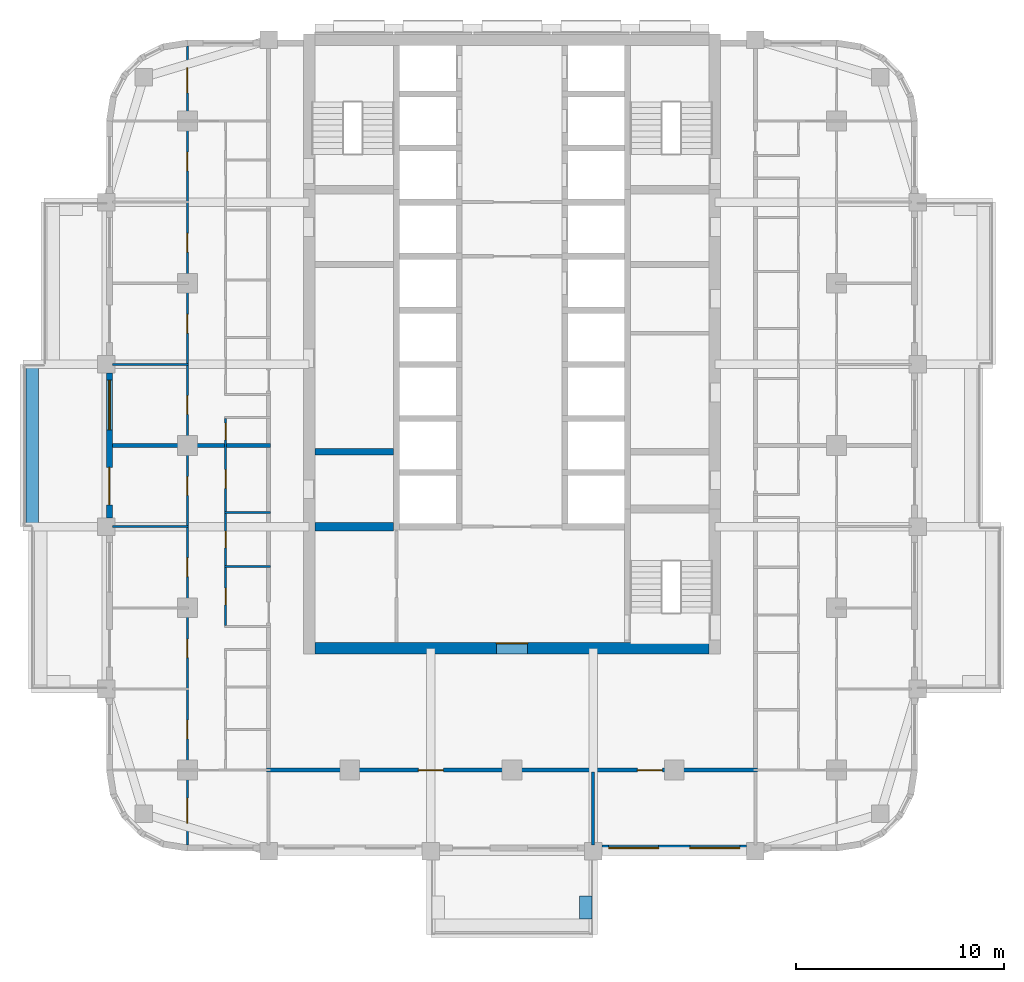
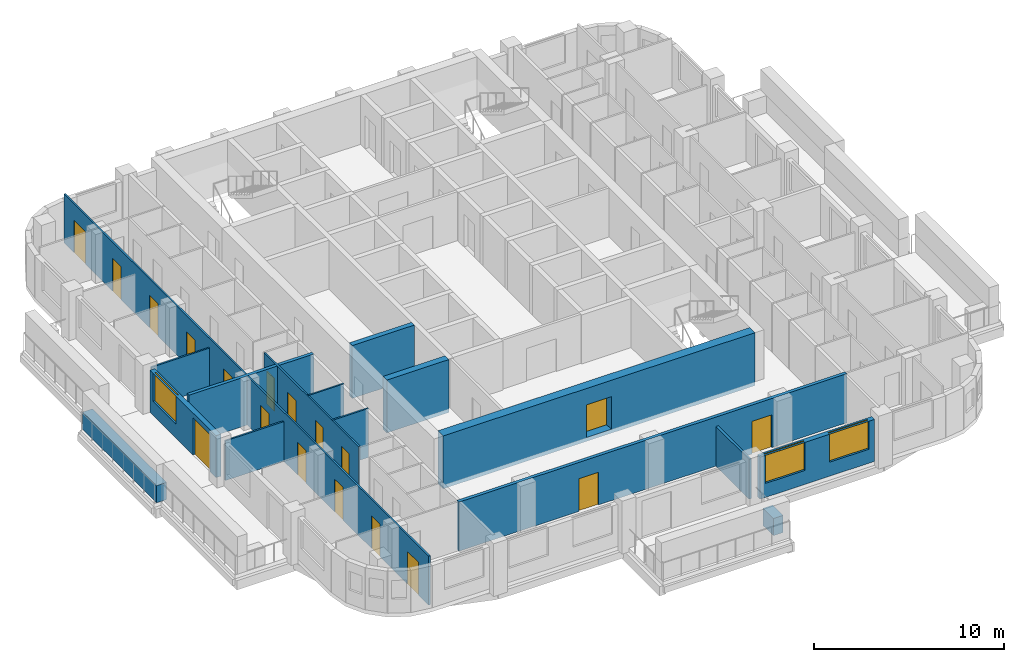
# One storey, part 3 of 12: 18 doors, 16 walls, 3 windows, 21 openings.
"""IFC4 building model written with IfcOpenShell, lengths in metres."""

from ifc_helpers import new_model, si_unit, direction, frame, frame_2d, origin, place, context, subcontext, project, spatial, rectangle, extrude, material, layer, layer_set, type_object, element, fill, save


model = new_model("IFC4")

# Units and contexts
model_context = context("Model", 3, precision=1e-05, world=origin(), true_north=direction((0.0, 1.0)))
body_context = subcontext(model_context, "Body", "Model", "MODEL_VIEW")
ifc_project = project(units=[si_unit("LENGTHUNIT", "METRE"), si_unit("AREAUNIT", "SQUARE_METRE"), si_unit("VOLUMEUNIT", "CUBIC_METRE"), si_unit("PLANEANGLEUNIT", "RADIAN"), si_unit("MASSUNIT", "GRAM", prefix="KILO")], contexts=[model_context])

# Site, building, storey
site_placement = place(None, origin())
site = spatial("IfcSite", under=ifc_project, at=site_placement, CompositionType="ELEMENT")
building_placement = place(site_placement, origin())
building = spatial("IfcBuilding", under=site, at=building_placement, Name="Ludao Terraces", CompositionType="ELEMENT")
storey_placement = place(building_placement, frame((0.0, 0.0, 137.300048828125)))
storey = spatial("IfcBuildingStorey", under=building, at=storey_placement, Name="L37", CompositionType="ELEMENT", Elevation=137.300048828125)

# Wall, opening, door
ifc_material_1 = material(Name="Concrete C60", Category="concrete")
ifc_layer_1 = layer(ifc_material_1, 0.550048828125)
ifc_layer_set_1 = layer_set([ifc_layer_1], Name="Core wall 550 C60")
wall_type_1 = type_object("IfcWallType", Name="Core wall 550 C60", PredefinedType="SOLIDWALL", material=ifc_layer_set_1)
wall_1_placement = place(storey_placement, frame((75.52490234375, 55.25, -0.25), z_axis=(0.0, 0.0, 1.0), x_axis=(1.0, 0.0, 0.0)))
wall_1 = element("IfcWall", 1, at=wall_1_placement, inside=storey, type_object=wall_type_1, Name="Core wall L37 outer-S", PredefinedType="SOLIDWALL", context=body_context, shape_type="SweptSolid", body=[
    extrude(rectangle(XDim=18.9501953125, YDim=0.550048828125, at=frame_2d((9.47509765625, 0.0))), origin(), (0.0, 0.0, 1.0), 3.39990234375),
])
opening_1_placement = place(wall_1_placement, frame((8.72509765625, 0.0, 0.25)))
opening_1 = element("IfcOpeningElement", 2, at=opening_1_placement, cuts=wall_1, Name="Opening R12-015", PredefinedType="OPENING", context=body_context, shape_type="SweptSolid", body=[
    extrude(rectangle(XDim=1.5, YDim=2.10009765625, at=frame_2d((0.75, 1.050048828125))), frame((0.0, 0.28515625, 0.0), z_axis=(0.0, -1.0, 0.0), x_axis=(1.0, 0.0, 0.0)), (0.0, 0.0, 1.0), 0.570068359375),
])
ifc_material_2 = material(Name="Steel Q235", Category="steel")
door_type_1 = type_object("IfcDoorType", Name="INT Lobby door 1500", OperationType="DOUBLE_DOOR_SINGLE_SWING", PredefinedType="DOOR", material=ifc_material_2)
door_1_placement = place(opening_1_placement, origin())
door_1 = element("IfcDoor", 3, at=door_1_placement, inside=storey, type_object=door_type_1, Name="DOOR 015", OperationType="DOUBLE_DOOR_SINGLE_SWING", OverallHeight=2.10009765625, OverallWidth=1.5, PredefinedType="DOOR", context=body_context, shape_type="SweptSolid", body=[
    extrude(rectangle(XDim=1.5, YDim=2.10009765625, at=frame_2d((0.75, 1.050048828125))), frame((0.0, 0.26025390625, 0.0), z_axis=(0.0, -1.0, 0.0), x_axis=(1.0, 0.0, 0.0)), (0.0, 0.0, 1.0), 0.050048828125),
])
fill(opening_1, door_1)

# Walls
ifc_material_3 = material(Name="Concrete C40", Category="concrete")
ifc_layer_2 = layer(ifc_material_3, 0.60009765625)
ifc_layer_set_2 = layer_set([ifc_layer_2], Name="ENV Planter trough 600")
wall_type_2 = type_object("IfcWallType", Name="ENV Planter trough 600", PredefinedType="USERDEFINED", material=ifc_layer_set_2)
wall_2_placement = place(storey_placement, frame((88.550048828125, 42.25, 0.0), z_axis=(0.0, 0.0, 1.0), x_axis=(0.0, 1.0, 0.0)))
element("IfcWall", 4, at=wall_2_placement, inside=storey, type_object=wall_type_2, Name="PL-L37-S1-SB", ObjectType="PLANTER", PredefinedType="USERDEFINED", context=body_context, shape_type="SweptSolid", body=[
    extrude(rectangle(XDim=1.10009765625, YDim=0.60009765625, at=frame_2d((0.550048828125, 0.0))), origin(), (0.0, 0.0, 1.0), 1.099853515625),
])
wall_3_placement = place(storey_placement, frame((61.949951171875, 61.10009765625, 0.0), z_axis=(0.0, 0.0, 1.0), x_axis=(0.0, 1.0, 0.0)))
element("IfcWall", 5, at=wall_3_placement, inside=storey, type_object=wall_type_2, Name="PL-L37-W2", ObjectType="PLANTER", PredefinedType="USERDEFINED", context=body_context, shape_type="SweptSolid", body=[
    extrude(rectangle(XDim=7.7998046875, YDim=0.60009765625, at=frame_2d((3.89990234375, 0.0))), origin(), (0.0, 0.0, 1.0), 1.099853515625),
])

# Wall, openings, windows
ifc_material_4 = material(Name="Granite cladding", Category="masonry")
ifc_layer_3 = layer(ifc_material_4, 0.0400390625, Category="stone")
ifc_material_5 = material(Name="Mineral wool")
ifc_layer_4 = layer(ifc_material_5, 0.06005859375)
ifc_layer_5 = layer(ifc_material_3, 0.199951171875, Category="concrete")
ifc_layer_set_3 = layer_set([ifc_layer_3, ifc_layer_4, ifc_layer_5], Name="ENV Stone-clad wall 300")
wall_type_3 = type_object("IfcWallType", Name="ENV Stone-clad wall 300", PredefinedType="SOLIDWALL", material=ifc_layer_set_3)
wall_4_placement = place(storey_placement, frame((89.324951171875, 45.64990234375, 0.0), z_axis=(0.0, 0.0, 1.0), x_axis=(1.0, 0.0, 0.0)))
wall_4 = element("IfcWall", 6, at=wall_4_placement, inside=storey, type_object=wall_type_3, Name="EW-L37-S4", PredefinedType="SOLIDWALL", context=body_context, shape_type="SweptSolid", body=[
    extrude(rectangle(XDim=6.949951171875, YDim=0.300048828125, at=frame_2d((3.47509765625, 0.0))), origin(), (0.0, 0.0, 1.0), 2.699951171875),
])
opening_2_placement = place(wall_4_placement, frame((0.324951171875, 0.0, 0.89990234375)))
opening_2 = element("IfcOpeningElement", 7, at=opening_2_placement, cuts=wall_4, Name="Opening W1", PredefinedType="OPENING", context=body_context, shape_type="SweptSolid", body=[
    extrude(rectangle(XDim=2.39990234375, YDim=1.800048828125, at=frame_2d((1.199951171875, 0.89990234375))), frame((0.0, 0.16015625, 0.0), z_axis=(0.0, -1.0, 0.0), x_axis=(1.0, 0.0, 0.0)), (0.0, 0.0, 1.0), 0.320068359375),
])
opening_3_placement = place(wall_4_placement, frame((4.22509765625, 0.0, 0.89990234375)))
opening_3 = element("IfcOpeningElement", 8, at=opening_3_placement, cuts=wall_4, Name="Opening W1", PredefinedType="OPENING", context=body_context, shape_type="SweptSolid", body=[
    extrude(rectangle(XDim=2.39990234375, YDim=1.800048828125, at=frame_2d((1.199951171875, 0.89990234375))), frame((0.0, 0.16015625, 0.0), z_axis=(0.0, -1.0, 0.0), x_axis=(1.0, 0.0, 0.0)), (0.0, 0.0, 1.0), 0.320068359375),
])
ifc_material_6 = material(Name="Clear glass in aluminium frame", Category="aluminium")
ifc_layer_6 = layer(ifc_material_6, 0.06005859375)
ifc_layer_set_4 = layer_set([ifc_layer_6], Name="ENV Window W1 2400x1800")
window_type = type_object("IfcWindowType", Name="ENV Window W1 2400x1800", PartitioningType="DOUBLE_PANEL_VERTICAL", PredefinedType="WINDOW", material=ifc_layer_set_4)
window_1_placement = place(opening_2_placement, origin())
window_1 = element("IfcWindow", 9, at=window_1_placement, inside=storey, type_object=window_type, Name="W-L37-S4-1", OverallHeight=1.800048828125, OverallWidth=2.39990234375, PartitioningType="DOUBLE_PANEL_VERTICAL", PredefinedType="WINDOW", context=body_context, shape_type="SweptSolid", body=[
    extrude(rectangle(XDim=2.39990234375, YDim=1.800048828125, at=frame_2d((1.199951171875, 0.89990234375))), frame((0.0, 0.030029296875, 0.0), z_axis=(0.0, -1.0, 0.0), x_axis=(1.0, 0.0, 0.0)), (0.0, 0.0, 1.0), 0.06005859375),
])
fill(opening_2, window_1)
window_2_placement = place(opening_3_placement, origin())
window_2 = element("IfcWindow", 10, at=window_2_placement, inside=storey, type_object=window_type, Name="W-L37-S4-2", OverallHeight=1.800048828125, OverallWidth=2.39990234375, PartitioningType="DOUBLE_PANEL_VERTICAL", PredefinedType="WINDOW", context=body_context, shape_type="SweptSolid", body=[
    extrude(rectangle(XDim=2.39990234375, YDim=1.800048828125, at=frame_2d((1.199951171875, 0.89990234375))), frame((0.0, 0.030029296875, 0.0), z_axis=(0.0, -1.0, 0.0), x_axis=(1.0, 0.0, 0.0)), (0.0, 0.0, 1.0), 0.06005859375),
])
fill(opening_3, window_2)

# Wall, openings, door, window
wall_5_placement = place(storey_placement, frame((65.64990234375, 61.52490234375, 0.0), z_axis=(0.0, 0.0, 1.0), x_axis=(0.0, 1.0, 0.0)))
wall_5 = element("IfcWall", 11, at=wall_5_placement, inside=storey, type_object=wall_type_3, Name="EW-L37-W3", PredefinedType="SOLIDWALL", context=body_context, shape_type="SweptSolid", body=[
    extrude(rectangle(XDim=6.9501953125, YDim=0.300048828125, at=frame_2d((3.47509765625, 0.0))), origin(), (0.0, 0.0, 1.0), 2.699951171875),
])
opening_4_placement = place(wall_5_placement, frame((0.625, 0.0, 0.0)))
opening_4 = element("IfcOpeningElement", 12, at=opening_4_placement, cuts=wall_5, Name="Opening BD", PredefinedType="OPENING", context=body_context, shape_type="SweptSolid", body=[
    extrude(rectangle(XDim=1.800048828125, YDim=2.39990234375, at=frame_2d((0.89990234375, 1.199951171875))), frame((0.0, 0.16015625, 0.0), z_axis=(0.0, -1.0, 0.0), x_axis=(1.0, 0.0, 0.0)), (0.0, 0.0, 1.0), 0.320068359375),
])
opening_5_placement = place(wall_5_placement, frame((4.22509765625, 0.0, 0.89990234375)))
opening_5 = element("IfcOpeningElement", 13, at=opening_5_placement, cuts=wall_5, Name="Opening W1", PredefinedType="OPENING", context=body_context, shape_type="SweptSolid", body=[
    extrude(rectangle(XDim=2.39990234375, YDim=1.800048828125, at=frame_2d((1.199951171875, 0.89990234375))), frame((0.0, 0.16015625, 0.0), z_axis=(0.0, -1.0, 0.0), x_axis=(1.0, 0.0, 0.0)), (0.0, 0.0, 1.0), 0.320068359375),
])
ifc_material_7 = material(Name="Aluminium glazed door", Category="aluminium")
ifc_layer_7 = layer(ifc_material_7, 0.06005859375)
ifc_layer_set_5 = layer_set([ifc_layer_7], Name="ENV Balcony door BD 1800x2400")
door_type_2 = type_object("IfcDoorType", Name="ENV Balcony door BD 1800x2400", OperationType="DOUBLE_DOOR_SINGLE_SWING", PredefinedType="DOOR", material=ifc_layer_set_5)
door_2_placement = place(opening_4_placement, origin())
door_2 = element("IfcDoor", 14, at=door_2_placement, inside=storey, type_object=door_type_2, Name="BD-L37-W3-1", OperationType="DOUBLE_DOOR_SINGLE_SWING", OverallHeight=2.39990234375, OverallWidth=1.800048828125, PredefinedType="DOOR", context=body_context, shape_type="SweptSolid", body=[
    extrude(rectangle(XDim=1.800048828125, YDim=2.39990234375, at=frame_2d((0.89990234375, 1.199951171875))), frame((0.0, 0.02490234375, 0.0), z_axis=(0.0, -1.0, 0.0), x_axis=(1.0, 0.0, 0.0)), (0.0, 0.0, 1.0), 0.050048828125),
])
fill(opening_4, door_2)
window_3_placement = place(opening_5_placement, origin())
window_3 = element("IfcWindow", 15, at=window_3_placement, inside=storey, type_object=window_type, Name="W-L37-W3-2", OverallHeight=1.800048828125, OverallWidth=2.39990234375, PartitioningType="DOUBLE_PANEL_VERTICAL", PredefinedType="WINDOW", context=body_context, shape_type="SweptSolid", body=[
    extrude(rectangle(XDim=2.39990234375, YDim=1.800048828125, at=frame_2d((1.199951171875, 0.89990234375))), frame((0.0, 0.030029296875, 0.0), z_axis=(0.0, -1.0, 0.0), x_axis=(1.0, 0.0, 0.0)), (0.0, 0.0, 1.0), 0.06005859375),
])
fill(opening_5, window_3)

# Wall, openings, doors
ifc_material_8 = material(Name="Autoclaved aerated concrete block B06 A3.5", Category="concrete")
ifc_layer_8 = layer(ifc_material_8, 0.199951171875)
ifc_layer_set_6 = layer_set([ifc_layer_8], Name="INT Entrance wall 200")
wall_type_4 = type_object("IfcWallType", Name="INT Entrance wall 200", PredefinedType="PARTITIONING", material=ifc_layer_set_6)
wall_6_placement = place(storey_placement, frame((73.2001953125, 49.39990234375, 0.0), z_axis=(0.0, 0.0, 1.0), x_axis=(1.0, 0.0, 0.0)))
wall_6 = element("IfcWall", 16, at=wall_6_placement, inside=storey, type_object=wall_type_4, Name="PW-L37-PW001", PredefinedType="PARTITIONING", context=body_context, shape_type="SweptSolid", body=[
    extrude(rectangle(XDim=23.599853515625, YDim=0.199951171875, at=frame_2d((11.7998046875, 0.0))), origin(), (0.0, 0.0, 1.0), 3.14990234375),
])
opening_6_placement = place(wall_6_placement, frame((7.2998046875, 0.0, 0.0)))
opening_6 = element("IfcOpeningElement", 17, at=opening_6_placement, cuts=wall_6, Name="Opening R12-004", PredefinedType="OPENING", context=body_context, shape_type="SweptSolid", body=[
    extrude(rectangle(XDim=1.199951171875, YDim=2.10009765625, at=frame_2d((0.60009765625, 1.050048828125))), frame((0.0, 0.10986328125, 0.0), z_axis=(0.0, -1.0, 0.0), x_axis=(1.0, 0.0, 0.0)), (0.0, 0.0, 1.0), 0.219970703125),
])
opening_7_placement = place(wall_6_placement, frame((17.824951171875, 0.0, 0.0)))
opening_7 = element("IfcOpeningElement", 18, at=opening_7_placement, cuts=wall_6, Name="Opening R12-005", PredefinedType="OPENING", context=body_context, shape_type="SweptSolid", body=[
    extrude(rectangle(XDim=1.199951171875, YDim=2.10009765625, at=frame_2d((0.60009765625, 1.050048828125))), frame((0.0, 0.10986328125, 0.0), z_axis=(0.0, -1.0, 0.0), x_axis=(1.0, 0.0, 0.0)), (0.0, 0.0, 1.0), 0.219970703125),
])
ifc_material_9 = material(Name="Timber door leaf", Category="wood")
door_type_3 = type_object("IfcDoorType", Name="INT Double door 1200", OperationType="DOUBLE_DOOR_SINGLE_SWING", PredefinedType="DOOR", material=ifc_material_9)
door_3_placement = place(opening_6_placement, origin())
door_3 = element("IfcDoor", 19, at=door_3_placement, inside=storey, type_object=door_type_3, Name="DOOR 004", OperationType="DOUBLE_DOOR_SINGLE_SWING", OverallHeight=2.10009765625, OverallWidth=1.199951171875, PredefinedType="DOOR", context=body_context, shape_type="SweptSolid", body=[
    extrude(rectangle(XDim=1.199951171875, YDim=2.10009765625, at=frame_2d((0.60009765625, 1.050048828125))), frame((0.0, 0.02490234375, 0.0), z_axis=(0.0, -1.0, 0.0), x_axis=(1.0, 0.0, 0.0)), (0.0, 0.0, 1.0), 0.050048828125),
])
fill(opening_6, door_3)
door_4_placement = place(opening_7_placement, origin())
door_4 = element("IfcDoor", 20, at=door_4_placement, inside=storey, type_object=door_type_3, Name="DOOR 005", OperationType="DOUBLE_DOOR_SINGLE_SWING", OverallHeight=2.10009765625, OverallWidth=1.199951171875, PredefinedType="DOOR", context=body_context, shape_type="SweptSolid", body=[
    extrude(rectangle(XDim=1.199951171875, YDim=2.10009765625, at=frame_2d((0.60009765625, 1.050048828125))), frame((0.0, 0.02490234375, 0.0), z_axis=(0.0, -1.0, 0.0), x_axis=(1.0, 0.0, 0.0)), (0.0, 0.0, 1.0), 0.050048828125),
])
fill(opening_7, door_4)

# Walls
ifc_material_10 = material(Name="Gypsum plasterboard", Category="gypsum")
ifc_layer_9 = layer(ifc_material_10, 0.012451171875, Category="gypsum")
ifc_layer_10 = layer(ifc_material_5, 0.06005859375, Name="insulation")
ifc_layer_11 = layer(ifc_material_2, 0.014892578125, Name="stud")
ifc_layer_12 = layer(ifc_material_10, 0.012451171875, Category="gypsum")
ifc_layer_set_7 = layer_set([ifc_layer_9, ifc_layer_10, ifc_layer_11, ifc_layer_12], Name="INT Partition 100")
wall_type_5 = type_object("IfcWallType", Name="INT Partition 100", PredefinedType="PARTITIONING", material=ifc_layer_set_7)
wall_7_placement = place(storey_placement, frame((71.18017578125, 59.179931640625, 0.0), z_axis=(0.0, 0.0, 1.0), x_axis=(1.0, 0.0, 0.0)))
element("IfcWall", 21, at=wall_7_placement, inside=storey, type_object=wall_type_5, Name="PW-L37-PW015", PredefinedType="PARTITIONING", context=body_context, shape_type="SweptSolid", body=[
    extrude(rectangle(XDim=2.219970703125, YDim=0.10009765625, at=frame_2d((1.10986328125, 0.0))), origin(), (0.0, 0.0, 1.0), 3.14990234375),
])
wall_8_placement = place(storey_placement, frame((65.800048828125, 61.10009765625, 0.0), z_axis=(0.0, 0.0, 1.0), x_axis=(1.0, 0.0, 0.0)))
element("IfcWall", 22, at=wall_8_placement, inside=storey, type_object=wall_type_5, Name="PW-L37-PW016", PredefinedType="PARTITIONING", context=body_context, shape_type="SweptSolid", body=[
    extrude(rectangle(XDim=3.650146484375, YDim=0.10009765625, at=frame_2d((1.8251953125, 0.0))), origin(), (0.0, 0.0, 1.0), 2.5498046875),
])
wall_9_placement = place(storey_placement, frame((71.18017578125, 61.780029296875, 0.0), z_axis=(0.0, 0.0, 1.0), x_axis=(1.0, 0.0, 0.0)))
element("IfcWall", 23, at=wall_9_placement, inside=storey, type_object=wall_type_5, Name="PW-L37-PW020", PredefinedType="PARTITIONING", context=body_context, shape_type="SweptSolid", body=[
    extrude(rectangle(XDim=2.219970703125, YDim=0.10009765625, at=frame_2d((1.10986328125, 0.0))), origin(), (0.0, 0.0, 1.0), 3.14990234375),
])
wall_10_placement = place(storey_placement, frame((65.800048828125, 68.89990234375, 0.0), z_axis=(0.0, 0.0, 1.0), x_axis=(1.0, 0.0, 0.0)))
element("IfcWall", 24, at=wall_10_placement, inside=storey, type_object=wall_type_5, Name="PW-L37-PW027", PredefinedType="PARTITIONING", context=body_context, shape_type="SweptSolid", body=[
    extrude(rectangle(XDim=3.650146484375, YDim=0.10009765625, at=frame_2d((1.8251953125, 0.0))), origin(), (0.0, 0.0, 1.0), 2.5498046875),
])

# Wall, openings, doors
wall_11_placement = place(storey_placement, frame((69.39990234375, 45.800048828125, 0.0), z_axis=(0.0, 0.0, 1.0), x_axis=(0.0, 1.0, 0.0)))
wall_11 = element("IfcWall", 25, at=wall_11_placement, inside=storey, type_object=wall_type_5, Name="PW-L37-PW047", PredefinedType="PARTITIONING", context=body_context, shape_type="SweptSolid", body=[
    extrude(rectangle(XDim=38.400146484375, YDim=0.10009765625, at=frame_2d((19.2001953125, 0.0))), origin(), (0.0, 0.0, 1.0), 3.14990234375),
])
opening_8_placement = place(wall_11_placement, frame((1.050048828125, 0.0, 0.0)))
opening_8 = element("IfcOpeningElement", 26, at=opening_8_placement, cuts=wall_11, Name="Opening R12-001", PredefinedType="OPENING", context=body_context, shape_type="SweptSolid", body=[
    extrude(rectangle(XDim=1.199951171875, YDim=2.10009765625, at=frame_2d((0.60009765625, 1.050048828125))), frame((0.0, 0.06005859375, 0.0), z_axis=(0.0, -1.0, 0.0), x_axis=(1.0, 0.0, 0.0)), (0.0, 0.0, 1.0), 0.1201171875),
])
opening_9_placement = place(wall_11_placement, frame((5.10009765625, 0.0, 0.0)))
opening_9 = element("IfcOpeningElement", 27, at=opening_9_placement, cuts=wall_11, Name="Opening R12-009", PredefinedType="OPENING", context=body_context, shape_type="SweptSolid", body=[
    extrude(rectangle(XDim=0.89990234375, YDim=2.10009765625, at=frame_2d((0.449951171875, 1.050048828125))), frame((0.0, 0.06005859375, 0.0), z_axis=(0.0, -1.0, 0.0), x_axis=(1.0, 0.0, 0.0)), (0.0, 0.0, 1.0), 0.1201171875),
])
opening_10_placement = place(wall_11_placement, frame((9.0, 0.0, 0.0)))
opening_10 = element("IfcOpeningElement", 28, at=opening_10_placement, cuts=wall_11, Name="Opening R12-014", PredefinedType="OPENING", context=body_context, shape_type="SweptSolid", body=[
    extrude(rectangle(XDim=0.89990234375, YDim=2.10009765625, at=frame_2d((0.449951171875, 1.050048828125))), frame((0.0, 0.06005859375, 0.0), z_axis=(0.0, -1.0, 0.0), x_axis=(1.0, 0.0, 0.0)), (0.0, 0.0, 1.0), 0.1201171875),
])
opening_11_placement = place(wall_11_placement, frame((12.89990234375, 0.0, 0.0)))
opening_11 = element("IfcOpeningElement", 29, at=opening_11_placement, cuts=wall_11, Name="Opening R12-024", PredefinedType="OPENING", context=body_context, shape_type="SweptSolid", body=[
    extrude(rectangle(XDim=0.89990234375, YDim=2.10009765625, at=frame_2d((0.449951171875, 1.050048828125))), frame((0.0, 0.06005859375, 0.0), z_axis=(0.0, -1.0, 0.0), x_axis=(1.0, 0.0, 0.0)), (0.0, 0.0, 1.0), 0.1201171875),
])
opening_12_placement = place(wall_11_placement, frame((16.800048828125, 0.0, 0.0)))
opening_12 = element("IfcOpeningElement", 30, at=opening_12_placement, cuts=wall_11, Name="Opening R12-030", PredefinedType="OPENING", context=body_context, shape_type="SweptSolid", body=[
    extrude(rectangle(XDim=0.89990234375, YDim=2.10009765625, at=frame_2d((0.449951171875, 1.050048828125))), frame((0.0, 0.06005859375, 0.0), z_axis=(0.0, -1.0, 0.0), x_axis=(1.0, 0.0, 0.0)), (0.0, 0.0, 1.0), 0.1201171875),
])
opening_13_placement = place(wall_11_placement, frame((20.699951171875, 0.0, 0.0)))
opening_13 = element("IfcOpeningElement", 31, at=opening_13_placement, cuts=wall_11, Name="Opening R12-038", PredefinedType="OPENING", context=body_context, shape_type="SweptSolid", body=[
    extrude(rectangle(XDim=0.89990234375, YDim=2.10009765625, at=frame_2d((0.449951171875, 1.050048828125))), frame((0.0, 0.06005859375, 0.0), z_axis=(0.0, -1.0, 0.0), x_axis=(1.0, 0.0, 0.0)), (0.0, 0.0, 1.0), 0.1201171875),
])
opening_14_placement = place(wall_11_placement, frame((24.60009765625, 0.0, 0.0)))
opening_14 = element("IfcOpeningElement", 32, at=opening_14_placement, cuts=wall_11, Name="Opening R12-045", PredefinedType="OPENING", context=body_context, shape_type="SweptSolid", body=[
    extrude(rectangle(XDim=0.89990234375, YDim=2.10009765625, at=frame_2d((0.449951171875, 1.050048828125))), frame((0.0, 0.06005859375, 0.0), z_axis=(0.0, -1.0, 0.0), x_axis=(1.0, 0.0, 0.0)), (0.0, 0.0, 1.0), 0.1201171875),
])
opening_15_placement = place(wall_11_placement, frame((28.5, 0.0, 0.0)))
opening_15 = element("IfcOpeningElement", 33, at=opening_15_placement, cuts=wall_11, Name="Opening R12-054", PredefinedType="OPENING", context=body_context, shape_type="SweptSolid", body=[
    extrude(rectangle(XDim=0.89990234375, YDim=2.10009765625, at=frame_2d((0.449951171875, 1.050048828125))), frame((0.0, 0.06005859375, 0.0), z_axis=(0.0, -1.0, 0.0), x_axis=(1.0, 0.0, 0.0)), (0.0, 0.0, 1.0), 0.1201171875),
])
opening_16_placement = place(wall_11_placement, frame((32.39990234375, 0.0, 0.0)))
opening_16 = element("IfcOpeningElement", 34, at=opening_16_placement, cuts=wall_11, Name="Opening R12-066", PredefinedType="OPENING", context=body_context, shape_type="SweptSolid", body=[
    extrude(rectangle(XDim=0.89990234375, YDim=2.10009765625, at=frame_2d((0.449951171875, 1.050048828125))), frame((0.0, 0.06005859375, 0.0), z_axis=(0.0, -1.0, 0.0), x_axis=(1.0, 0.0, 0.0)), (0.0, 0.0, 1.0), 0.1201171875),
])
opening_17_placement = place(wall_11_placement, frame((36.14990234375, 0.0, 0.0)))
opening_17 = element("IfcOpeningElement", 35, at=opening_17_placement, cuts=wall_11, Name="Opening R12-075", PredefinedType="OPENING", context=body_context, shape_type="SweptSolid", body=[
    extrude(rectangle(XDim=1.199951171875, YDim=2.10009765625, at=frame_2d((0.60009765625, 1.050048828125))), frame((0.0, 0.06005859375, 0.0), z_axis=(0.0, -1.0, 0.0), x_axis=(1.0, 0.0, 0.0)), (0.0, 0.0, 1.0), 0.1201171875),
])
door_5_placement = place(opening_8_placement, origin())
door_5 = element("IfcDoor", 36, at=door_5_placement, inside=storey, type_object=door_type_3, Name="DOOR 001", OperationType="DOUBLE_DOOR_SINGLE_SWING", OverallHeight=2.10009765625, OverallWidth=1.199951171875, PredefinedType="DOOR", context=body_context, shape_type="SweptSolid", body=[
    extrude(rectangle(XDim=1.199951171875, YDim=2.10009765625, at=frame_2d((0.60009765625, 1.050048828125))), frame((0.0, 0.02490234375, 0.0), z_axis=(0.0, -1.0, 0.0), x_axis=(1.0, 0.0, 0.0)), (0.0, 0.0, 1.0), 0.050048828125),
])
fill(opening_8, door_5)
door_6_placement = place(opening_17_placement, origin())
door_6 = element("IfcDoor", 37, at=door_6_placement, inside=storey, type_object=door_type_3, Name="DOOR 075", OperationType="DOUBLE_DOOR_SINGLE_SWING", OverallHeight=2.10009765625, OverallWidth=1.199951171875, PredefinedType="DOOR", context=body_context, shape_type="SweptSolid", body=[
    extrude(rectangle(XDim=1.199951171875, YDim=2.10009765625, at=frame_2d((0.60009765625, 1.050048828125))), frame((0.0, 0.02490234375, 0.0), z_axis=(0.0, -1.0, 0.0), x_axis=(1.0, 0.0, 0.0)), (0.0, 0.0, 1.0), 0.050048828125),
])
fill(opening_17, door_6)
door_type_4 = type_object("IfcDoorType", Name="INT Room door 900", OperationType="SINGLE_SWING_LEFT", PredefinedType="DOOR", material=ifc_material_9)
door_7_placement = place(opening_9_placement, origin())
door_7 = element("IfcDoor", 38, at=door_7_placement, inside=storey, type_object=door_type_4, Name="DOOR 009", OperationType="SINGLE_SWING_RIGHT", OverallHeight=2.10009765625, OverallWidth=0.89990234375, PredefinedType="DOOR", context=body_context, shape_type="SweptSolid", body=[
    extrude(rectangle(XDim=0.89990234375, YDim=2.10009765625, at=frame_2d((0.449951171875, 1.050048828125))), frame((0.0, 0.02490234375, 0.0), z_axis=(0.0, -1.0, 0.0), x_axis=(1.0, 0.0, 0.0)), (0.0, 0.0, 1.0), 0.050048828125),
])
fill(opening_9, door_7)
door_8_placement = place(opening_10_placement, origin())
door_8 = element("IfcDoor", 39, at=door_8_placement, inside=storey, type_object=door_type_4, Name="DOOR 014", OperationType="SINGLE_SWING_RIGHT", OverallHeight=2.10009765625, OverallWidth=0.89990234375, PredefinedType="DOOR", context=body_context, shape_type="SweptSolid", body=[
    extrude(rectangle(XDim=0.89990234375, YDim=2.10009765625, at=frame_2d((0.449951171875, 1.050048828125))), frame((0.0, 0.02490234375, 0.0), z_axis=(0.0, -1.0, 0.0), x_axis=(1.0, 0.0, 0.0)), (0.0, 0.0, 1.0), 0.050048828125),
])
fill(opening_10, door_8)
door_9_placement = place(opening_11_placement, origin())
door_9 = element("IfcDoor", 40, at=door_9_placement, inside=storey, type_object=door_type_4, Name="DOOR 024", OperationType="SINGLE_SWING_RIGHT", OverallHeight=2.10009765625, OverallWidth=0.89990234375, PredefinedType="DOOR", context=body_context, shape_type="SweptSolid", body=[
    extrude(rectangle(XDim=0.89990234375, YDim=2.10009765625, at=frame_2d((0.449951171875, 1.050048828125))), frame((0.0, 0.02490234375, 0.0), z_axis=(0.0, -1.0, 0.0), x_axis=(1.0, 0.0, 0.0)), (0.0, 0.0, 1.0), 0.050048828125),
])
fill(opening_11, door_9)
door_10_placement = place(opening_12_placement, origin())
door_10 = element("IfcDoor", 41, at=door_10_placement, inside=storey, type_object=door_type_4, Name="DOOR 030", OperationType="SINGLE_SWING_LEFT", OverallHeight=2.10009765625, OverallWidth=0.89990234375, PredefinedType="DOOR", context=body_context, shape_type="SweptSolid", body=[
    extrude(rectangle(XDim=0.89990234375, YDim=2.10009765625, at=frame_2d((0.449951171875, 1.050048828125))), frame((0.0, 0.02490234375, 0.0), z_axis=(0.0, -1.0, 0.0), x_axis=(1.0, 0.0, 0.0)), (0.0, 0.0, 1.0), 0.050048828125),
])
fill(opening_12, door_10)
door_11_placement = place(opening_13_placement, origin())
door_11 = element("IfcDoor", 42, at=door_11_placement, inside=storey, type_object=door_type_4, Name="DOOR 038", OperationType="SINGLE_SWING_LEFT", OverallHeight=2.10009765625, OverallWidth=0.89990234375, PredefinedType="DOOR", context=body_context, shape_type="SweptSolid", body=[
    extrude(rectangle(XDim=0.89990234375, YDim=2.10009765625, at=frame_2d((0.449951171875, 1.050048828125))), frame((0.0, 0.02490234375, 0.0), z_axis=(0.0, -1.0, 0.0), x_axis=(1.0, 0.0, 0.0)), (0.0, 0.0, 1.0), 0.050048828125),
])
fill(opening_13, door_11)
door_12_placement = place(opening_14_placement, origin())
door_12 = element("IfcDoor", 43, at=door_12_placement, inside=storey, type_object=door_type_4, Name="DOOR 045", OperationType="SINGLE_SWING_RIGHT", OverallHeight=2.10009765625, OverallWidth=0.89990234375, PredefinedType="DOOR", context=body_context, shape_type="SweptSolid", body=[
    extrude(rectangle(XDim=0.89990234375, YDim=2.10009765625, at=frame_2d((0.449951171875, 1.050048828125))), frame((0.0, 0.02490234375, 0.0), z_axis=(0.0, -1.0, 0.0), x_axis=(1.0, 0.0, 0.0)), (0.0, 0.0, 1.0), 0.050048828125),
])
fill(opening_14, door_12)
door_13_placement = place(opening_15_placement, origin())
door_13 = element("IfcDoor", 44, at=door_13_placement, inside=storey, type_object=door_type_4, Name="DOOR 054", OperationType="SINGLE_SWING_LEFT", OverallHeight=2.10009765625, OverallWidth=0.89990234375, PredefinedType="DOOR", context=body_context, shape_type="SweptSolid", body=[
    extrude(rectangle(XDim=0.89990234375, YDim=2.10009765625, at=frame_2d((0.449951171875, 1.050048828125))), frame((0.0, 0.02490234375, 0.0), z_axis=(0.0, -1.0, 0.0), x_axis=(1.0, 0.0, 0.0)), (0.0, 0.0, 1.0), 0.050048828125),
])
fill(opening_15, door_13)
door_14_placement = place(opening_16_placement, origin())
door_14 = element("IfcDoor", 45, at=door_14_placement, inside=storey, type_object=door_type_4, Name="DOOR 066", OperationType="SINGLE_SWING_LEFT", OverallHeight=2.10009765625, OverallWidth=0.89990234375, PredefinedType="DOOR", context=body_context, shape_type="SweptSolid", body=[
    extrude(rectangle(XDim=0.89990234375, YDim=2.10009765625, at=frame_2d((0.449951171875, 1.050048828125))), frame((0.0, 0.02490234375, 0.0), z_axis=(0.0, -1.0, 0.0), x_axis=(1.0, 0.0, 0.0)), (0.0, 0.0, 1.0), 0.050048828125),
])
fill(opening_16, door_14)

wall_12_placement = place(storey_placement, frame((71.22998046875, 56.35009765625, 0.0), z_axis=(0.0, 0.0, 1.0), x_axis=(0.0, 1.0, 0.0)))
wall_12 = element("IfcWall", 46, at=wall_12_placement, inside=storey, type_object=wall_type_5, Name="PW-L37-PW049", PredefinedType="PARTITIONING", context=body_context, shape_type="SweptSolid", body=[
    extrude(rectangle(XDim=9.949951171875, YDim=0.10009765625, at=frame_2d((4.97509765625, 0.0))), origin(), (0.0, 0.0, 1.0), 3.14990234375),
])
opening_18_placement = place(wall_12_placement, frame((0.989990234375, 0.0, 0.0)))
opening_18 = element("IfcOpeningElement", 47, at=opening_18_placement, cuts=wall_12, Name="Opening R12-021", PredefinedType="OPENING", context=body_context, shape_type="SweptSolid", body=[
    extrude(rectangle(XDim=0.800048828125, YDim=2.10009765625, at=frame_2d((0.39990234375, 1.050048828125))), frame((0.0, 0.06005859375, 0.0), z_axis=(0.0, -1.0, 0.0), x_axis=(1.0, 0.0, 0.0)), (0.0, 0.0, 1.0), 0.1201171875),
])
opening_19_placement = place(wall_12_placement, frame((3.72998046875, 0.0, 0.0)))
opening_19 = element("IfcOpeningElement", 48, at=opening_19_placement, cuts=wall_12, Name="Opening R12-027", PredefinedType="OPENING", context=body_context, shape_type="SweptSolid", body=[
    extrude(rectangle(XDim=0.800048828125, YDim=2.10009765625, at=frame_2d((0.39990234375, 1.050048828125))), frame((0.0, 0.06005859375, 0.0), z_axis=(0.0, -1.0, 0.0), x_axis=(1.0, 0.0, 0.0)), (0.0, 0.0, 1.0), 0.1201171875),
])
opening_20_placement = place(wall_12_placement, frame((6.590087890625, 0.0, 0.0)))
opening_20 = element("IfcOpeningElement", 49, at=opening_20_placement, cuts=wall_12, Name="Opening R12-034", PredefinedType="OPENING", context=body_context, shape_type="SweptSolid", body=[
    extrude(rectangle(XDim=0.89990234375, YDim=2.10009765625, at=frame_2d((0.449951171875, 1.050048828125))), frame((0.0, 0.06005859375, 0.0), z_axis=(0.0, -1.0, 0.0), x_axis=(1.0, 0.0, 0.0)), (0.0, 0.0, 1.0), 0.1201171875),
])
opening_21_placement = place(wall_12_placement, frame((8.925048828125, 0.0, 0.0)))
opening_21 = element("IfcOpeningElement", 50, at=opening_21_placement, cuts=wall_12, Name="Opening R12-036", PredefinedType="OPENING", context=body_context, shape_type="SweptSolid", body=[
    extrude(rectangle(XDim=0.800048828125, YDim=2.10009765625, at=frame_2d((0.39990234375, 1.050048828125))), frame((0.0, 0.06005859375, 0.0), z_axis=(0.0, -1.0, 0.0), x_axis=(1.0, 0.0, 0.0)), (0.0, 0.0, 1.0), 0.1201171875),
])
door_15_placement = place(opening_20_placement, origin())
door_15 = element("IfcDoor", 51, at=door_15_placement, inside=storey, type_object=door_type_4, Name="DOOR 034", OperationType="SINGLE_SWING_RIGHT", OverallHeight=2.10009765625, OverallWidth=0.89990234375, PredefinedType="DOOR", context=body_context, shape_type="SweptSolid", body=[
    extrude(rectangle(XDim=0.89990234375, YDim=2.10009765625, at=frame_2d((0.449951171875, 1.050048828125))), frame((0.0, 0.02490234375, 0.0), z_axis=(0.0, -1.0, 0.0), x_axis=(1.0, 0.0, 0.0)), (0.0, 0.0, 1.0), 0.050048828125),
])
fill(opening_20, door_15)
door_type_5 = type_object("IfcDoorType", Name="INT Store door 800", OperationType="SINGLE_SWING_LEFT", PredefinedType="DOOR", material=ifc_material_9)
door_16_placement = place(opening_18_placement, origin())
door_16 = element("IfcDoor", 52, at=door_16_placement, inside=storey, type_object=door_type_5, Name="DOOR 021", OperationType="SINGLE_SWING_RIGHT", OverallHeight=2.10009765625, OverallWidth=0.800048828125, PredefinedType="DOOR", context=body_context, shape_type="SweptSolid", body=[
    extrude(rectangle(XDim=0.800048828125, YDim=2.10009765625, at=frame_2d((0.39990234375, 1.050048828125))), frame((0.0, 0.02490234375, 0.0), z_axis=(0.0, -1.0, 0.0), x_axis=(1.0, 0.0, 0.0)), (0.0, 0.0, 1.0), 0.050048828125),
])
fill(opening_18, door_16)
door_17_placement = place(opening_19_placement, origin())
door_17 = element("IfcDoor", 53, at=door_17_placement, inside=storey, type_object=door_type_5, Name="DOOR 027", OperationType="SINGLE_SWING_LEFT", OverallHeight=2.10009765625, OverallWidth=0.800048828125, PredefinedType="DOOR", context=body_context, shape_type="SweptSolid", body=[
    extrude(rectangle(XDim=0.800048828125, YDim=2.10009765625, at=frame_2d((0.39990234375, 1.050048828125))), frame((0.0, 0.02490234375, 0.0), z_axis=(0.0, -1.0, 0.0), x_axis=(1.0, 0.0, 0.0)), (0.0, 0.0, 1.0), 0.050048828125),
])
fill(opening_19, door_17)
door_18_placement = place(opening_21_placement, origin())
door_18 = element("IfcDoor", 54, at=door_18_placement, inside=storey, type_object=door_type_5, Name="DOOR 036", OperationType="SINGLE_SWING_RIGHT", OverallHeight=2.10009765625, OverallWidth=0.800048828125, PredefinedType="DOOR", context=body_context, shape_type="SweptSolid", body=[
    extrude(rectangle(XDim=0.800048828125, YDim=2.10009765625, at=frame_2d((0.39990234375, 1.050048828125))), frame((0.0, 0.02490234375, 0.0), z_axis=(0.0, -1.0, 0.0), x_axis=(1.0, 0.0, 0.0)), (0.0, 0.0, 1.0), 0.050048828125),
])
fill(opening_21, door_18)

# Walls
ifc_layer_13 = layer(ifc_material_8, 0.14990234375)
ifc_layer_set_8 = layer_set([ifc_layer_13], Name="INT Party wall 150")
wall_type_6 = type_object("IfcWallType", Name="INT Party wall 150", PredefinedType="PARTITIONING", material=ifc_layer_set_8)
wall_13_placement = place(storey_placement, frame((88.89990234375, 45.800048828125, 0.0), z_axis=(0.0, 0.0, 1.0), x_axis=(0.0, 1.0, 0.0)))
element("IfcWall", 55, at=wall_13_placement, inside=storey, type_object=wall_type_6, Name="PW-L37-PW054", PredefinedType="PARTITIONING", context=body_context, shape_type="SweptSolid", body=[
    extrude(rectangle(XDim=3.5, YDim=0.14990234375, at=frame_2d((1.75, 0.0))), origin(), (0.0, 0.0, 1.0), 2.5498046875),
])
ifc_layer_14 = layer(ifc_material_8, 0.199951171875)
ifc_layer_set_9 = layer_set([ifc_layer_14], Name="INT Party wall 200")
wall_type_7 = type_object("IfcWallType", Name="INT Party wall 200", PredefinedType="PARTITIONING", material=ifc_layer_set_9)
wall_14_placement = place(storey_placement, frame((65.800048828125, 65.0, 0.0), z_axis=(0.0, 0.0, 1.0), x_axis=(1.0, 0.0, 0.0)))
element("IfcWall", 56, at=wall_14_placement, inside=storey, type_object=wall_type_7, Name="PW-L37-PW022", PredefinedType="PARTITIONING", context=body_context, shape_type="SweptSolid", body=[
    extrude(rectangle(XDim=7.60009765625, YDim=0.199951171875, at=frame_2d((3.800048828125, 0.0))), origin(), (0.0, 0.0, 1.0), 3.14990234375),
])
ifc_material_11 = material(Name="Concrete C55", Category="concrete")
ifc_layer_15 = layer(ifc_material_11, 0.300048828125)
ifc_layer_set_10 = layer_set([ifc_layer_15], Name="Shaft wall 300 C55")
wall_type_8 = type_object("IfcWallType", Name="Shaft wall 300 C55", PredefinedType="SOLIDWALL", material=ifc_layer_set_10)
wall_15_placement = place(storey_placement, frame((75.52490234375, 64.699951171875, -0.25), z_axis=(0.0, 0.0, 1.0), x_axis=(1.0, 0.0, 0.0)))
element("IfcWall", 57, at=wall_15_placement, inside=storey, type_object=wall_type_8, Name="Core wall L37 riser-a-W", PredefinedType="SOLIDWALL", context=body_context, shape_type="SweptSolid", body=[
    extrude(rectangle(XDim=3.775146484375, YDim=0.300048828125, at=frame_2d((1.8876953125, 0.0))), origin(), (0.0, 0.0, 1.0), 3.39990234375),
])
ifc_layer_16 = layer(ifc_material_11, 0.39990234375)
ifc_layer_set_11 = layer_set([ifc_layer_16], Name="Shaft wall 400 C55")
wall_type_9 = type_object("IfcWallType", Name="Shaft wall 400 C55", PredefinedType="SOLIDWALL", material=ifc_layer_set_11)
wall_16_placement = place(storey_placement, frame((75.52490234375, 61.10009765625, -0.25), z_axis=(0.0, 0.0, 1.0), x_axis=(1.0, 0.0, 0.0)))
element("IfcWall", 58, at=wall_16_placement, inside=storey, type_object=wall_type_9, Name="Core wall L37 hall-W", PredefinedType="SOLIDWALL", context=body_context, shape_type="SweptSolid", body=[
    extrude(rectangle(XDim=3.775146484375, YDim=0.39990234375, at=frame_2d((1.8876953125, 0.0))), origin(), (0.0, 0.0, 1.0), 3.39990234375),
])

save(model, "model.ifc")
